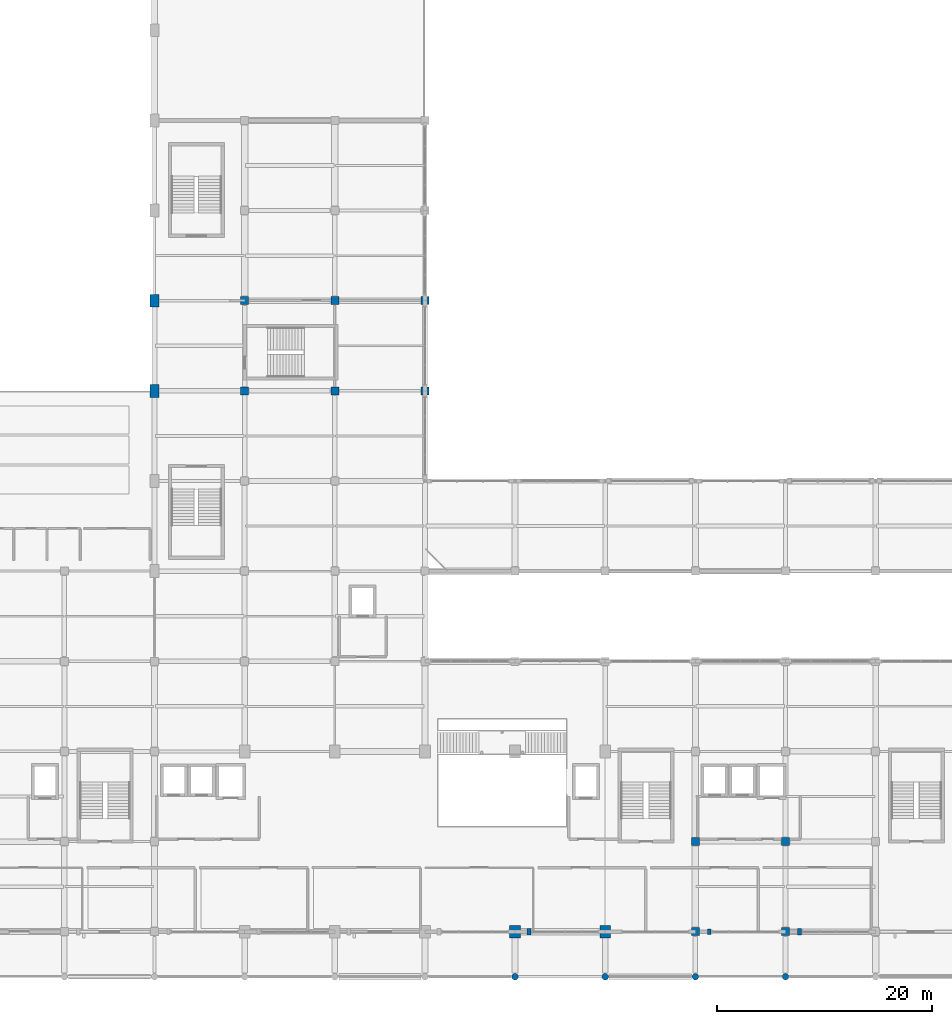
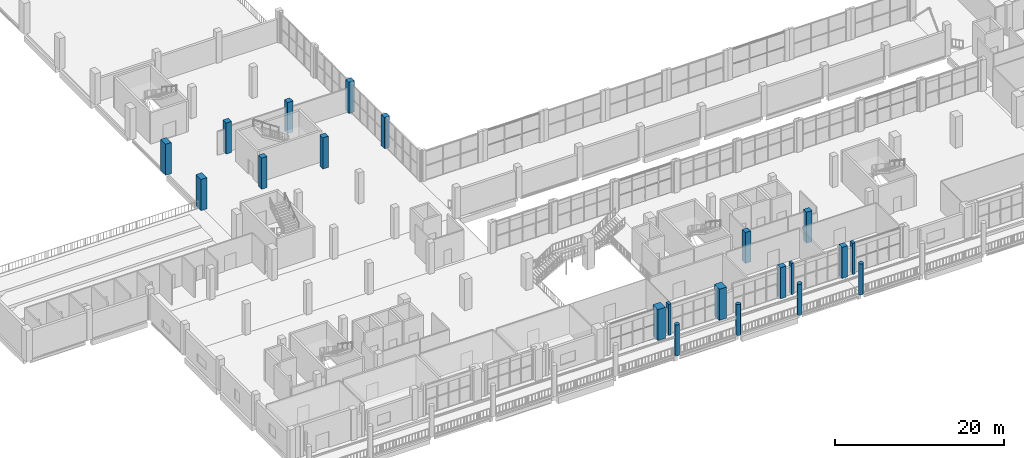
# One storey, part 3 of 75: 21 columns.
"""IFC4 building model written with IfcOpenShell, lengths in metres."""

from ifc_helpers import new_model, si_unit, derived_unit, direction, frame, origin, origin_2d, place, context, subcontext, project, spatial, rectangle, circle, extrude, material, material_profile, profile_set, type_object, element, save


model = new_model("IFC4")

# Units and contexts
model_context = context("Model", 3, precision=1e-05, world=origin(), true_north=direction((0.0, 1.0)))
body_context = subcontext(model_context, "Body", "Model", "MODEL_VIEW")
ifc_project = project(units=[si_unit("LENGTHUNIT", "METRE"), si_unit("AREAUNIT", "SQUARE_METRE"), si_unit("VOLUMEUNIT", "CUBIC_METRE"), si_unit("PLANEANGLEUNIT", "RADIAN"), si_unit("MASSUNIT", "GRAM", prefix="KILO"), derived_unit("THERMALTRANSMITTANCEUNIT", [(si_unit("POWERUNIT", "WATT"), 1), (si_unit("LENGTHUNIT", "METRE"), -2), (si_unit("THERMODYNAMICTEMPERATUREUNIT", "KELVIN"), -1)])], contexts=[model_context])

# Site, building, storey
site_placement = place(None, origin())
site = spatial("IfcSite", under=ifc_project, at=site_placement, CompositionType="ELEMENT")
building_placement = place(site_placement, origin())
building = spatial("IfcBuilding", under=site, at=building_placement, Name="Barrovel Congress Hotel", CompositionType="ELEMENT")
storey_placement = place(building_placement, frame((0.0, 0.0, 5.39990234375)))
storey = spatial("IfcBuildingStorey", under=building, at=storey_placement, Name="L01", CompositionType="ELEMENT", Elevation=5.39990234375)

# Columns
ifc_material_1 = material(Name="Concrete C40", Category="concrete")
ifc_material_profile_1 = material_profile(ifc_material_1, circle(Radius=0.300048828125, at=origin_2d()), Name="RC-D600")
ifc_profile_set_1 = profile_set([ifc_material_profile_1], Name="Concrete C40")
column_type_1 = type_object("IfcColumnType", Name="COL-RC-D600", PredefinedType="COLUMN", material=ifc_profile_set_1)
for number, where, z_axis, x_axis, name in (
    (1, (67.199951171875, 0.0, 0.0), (0.0, 0.0, 1.0), (1.0, 0.0, 0.0), "COL:L01:67.2:0.0"),
    (2, (75.60009765625, 0.0, 0.0), (0.0, 0.0, 1.0), (1.0, 0.0, 0.0), "COL:L01:75.6:0.0"),
    (3, (84.0, 0.0, 0.0), (0.0, 0.0, 1.0), (1.0, 0.0, 0.0), "COL:L01:84.0:0.0"),
    (4, (92.39990234375, 0.0, 0.0), (0.0, 0.0, 1.0), (1.0, 0.0, 0.0), "COL:L01:92.4:0.0"),
):
    element("IfcColumn", number, at=place(storey_placement, frame(where, z_axis=z_axis, x_axis=x_axis)), inside=storey, type_object=column_type_1, Name=name, PredefinedType="COLUMN", context=body_context, shape_type="SweptSolid", body=[
        extrude(circle(Radius=0.300048828125, at=origin_2d()), origin(), (0.0, 0.0, 1.0), 4.5),
    ])
ifc_material_2 = material(Name="Concrete C50", Category="concrete")
ifc_material_profile_2 = material_profile(ifc_material_2, rectangle(XDim=1.0, YDim=1.199951171875, at=origin_2d()), Name="RC1000x1200")
ifc_profile_set_2 = profile_set([ifc_material_profile_2], Name="Concrete C50")
column_type_2 = type_object("IfcColumnType", Name="COL-RC1000x1200", PredefinedType="COLUMN", material=ifc_profile_set_2)
for number, where, z_axis, x_axis, name in (
    (5, (67.199951171875, 4.199951171875, 0.0), (0.0, 0.0, 1.0), (1.0, 0.0, 0.0), "COL:L01:67.2:4.2"),
    (6, (75.60009765625, 4.199951171875, 0.0), (0.0, 0.0, 1.0), (1.0, 0.0, 0.0), "COL:L01:75.6:4.2"),
):
    element("IfcColumn", number, at=place(storey_placement, frame(where, z_axis=z_axis, x_axis=x_axis)), inside=storey, type_object=column_type_2, Name=name, PredefinedType="COLUMN", context=body_context, shape_type="SweptSolid", body=[
        extrude(rectangle(XDim=1.0, YDim=1.199951171875, at=origin_2d()), origin(), (0.0, 0.0, 1.0), 4.5),
    ])
ifc_material_profile_3 = material_profile(ifc_material_1, rectangle(XDim=0.75, YDim=0.75, at=origin_2d()), Name="RC750x750")
ifc_profile_set_3 = profile_set([ifc_material_profile_3], Name="Concrete C40")
column_type_3 = type_object("IfcColumnType", Name="COL-RC750x750", PredefinedType="COLUMN", material=ifc_profile_set_3)
for number, where, z_axis, x_axis, name in (
    (7, (42.0, 54.60009765625, 0.0), (0.0, 0.0, 1.0), (1.0, 0.0, 0.0), "COL:L01:42.0:54.6"),
    (8, (42.0, 63.0, 0.0), (0.0, 0.0, 1.0), (1.0, 0.0, 0.0), "COL:L01:42.0:63.0"),
    (9, (50.39990234375, 54.60009765625, 0.0), (0.0, 0.0, 1.0), (1.0, 0.0, 0.0), "COL:L01:50.4:54.6"),
    (10, (50.39990234375, 63.0, 0.0), (0.0, 0.0, 1.0), (1.0, 0.0, 0.0), "COL:L01:50.4:63.0"),
    (11, (58.800048828125, 54.60009765625, 0.0), (0.0, 0.0, 1.0), (1.0, 0.0, 0.0), "COL:L01:58.8:54.6"),
    (12, (58.800048828125, 63.0, 0.0), (0.0, 0.0, 1.0), (1.0, 0.0, 0.0), "COL:L01:58.8:63.0"),
    (13, (84.0, 4.199951171875, 0.0), (0.0, 0.0, 1.0), (1.0, 0.0, 0.0), "COL:L01:84.0:4.2"),
    (14, (84.0, 12.60009765625, 0.0), (0.0, 0.0, 1.0), (1.0, 0.0, 0.0), "COL:L01:84.0:12.6"),
    (15, (92.39990234375, 4.199951171875, 0.0), (0.0, 0.0, 1.0), (1.0, 0.0, 0.0), "COL:L01:92.4:4.2"),
    (16, (92.39990234375, 12.60009765625, 0.0), (0.0, 0.0, 1.0), (1.0, 0.0, 0.0), "COL:L01:92.4:12.6"),
):
    element("IfcColumn", number, at=place(storey_placement, frame(where, z_axis=z_axis, x_axis=x_axis)), inside=storey, type_object=column_type_3, Name=name, PredefinedType="COLUMN", context=body_context, shape_type="SweptSolid", body=[
        extrude(rectangle(XDim=0.75, YDim=0.75, at=origin_2d()), origin(), (0.0, 0.0, 1.0), 4.5),
    ])
ifc_material_profile_4 = material_profile(ifc_material_1, rectangle(XDim=0.800048828125, YDim=1.199951171875, at=origin_2d()), Name="RC800x1200")
ifc_profile_set_4 = profile_set([ifc_material_profile_4], Name="Concrete C40")
column_type_4 = type_object("IfcColumnType", Name="COL-RC800x1200", PredefinedType="COLUMN", material=ifc_profile_set_4)
for number, where, z_axis, x_axis, name in (
    (17, (33.60009765625, 54.60009765625, 0.0), (0.0, 0.0, 1.0), (1.0, 0.0, 0.0), "COL:L01:33.6:54.6"),
    (18, (33.60009765625, 63.0, 0.0), (0.0, 0.0, 1.0), (1.0, 0.0, 0.0), "COL:L01:33.6:63.0"),
):
    element("IfcColumn", number, at=place(storey_placement, frame(where, z_axis=z_axis, x_axis=x_axis)), inside=storey, type_object=column_type_4, Name=name, PredefinedType="COLUMN", context=body_context, shape_type="SweptSolid", body=[
        extrude(rectangle(XDim=0.800048828125, YDim=1.199951171875, at=origin_2d()), origin(), (0.0, 0.0, 1.0), 4.5),
    ])
ifc_material_profile_5 = material_profile(ifc_material_1, rectangle(XDim=0.300048828125, YDim=0.550048828125, at=origin_2d()), Name="RC300x550")
ifc_profile_set_5 = profile_set([ifc_material_profile_5], Name="Concrete C40")
column_type_5 = type_object("IfcColumnType", Name="PIL-RC300x550", PredefinedType="PILASTER", material=ifc_profile_set_5)
column_placement = place(storey_placement, frame((85.300048828125, 4.199951171875, 0.0), z_axis=(0.0, 0.0, 1.0), x_axis=(1.0, 0.0, 0.0)))
element("IfcColumn", 19, at=column_placement, inside=storey, type_object=column_type_5, Name="PIL:L01:S:85.3", PredefinedType="PILASTER", context=body_context, shape_type="SweptSolid", body=[
    extrude(rectangle(XDim=0.300048828125, YDim=0.550048828125, at=origin_2d()), origin(), (0.0, 0.0, 1.0), 4.5),
])
ifc_material_profile_6 = material_profile(ifc_material_1, rectangle(XDim=0.35009765625, YDim=0.60009765625, at=origin_2d()), Name="RC350x600")
ifc_profile_set_6 = profile_set([ifc_material_profile_6], Name="Concrete C40")
column_type_6 = type_object("IfcColumnType", Name="PIL-RC350x600", PredefinedType="PILASTER", material=ifc_profile_set_6)
for number, where, z_axis, x_axis, name in (
    (20, (68.5, 4.199951171875, 0.0), (0.0, 0.0, 1.0), (1.0, 0.0, 0.0), "PIL:L01:S:68.5"),
    (21, (93.699951171875, 4.199951171875, 0.0), (0.0, 0.0, 1.0), (1.0, 0.0, 0.0), "PIL:L01:S:93.7"),
):
    element("IfcColumn", number, at=place(storey_placement, frame(where, z_axis=z_axis, x_axis=x_axis)), inside=storey, type_object=column_type_6, Name=name, PredefinedType="PILASTER", context=body_context, shape_type="SweptSolid", body=[
        extrude(rectangle(XDim=0.35009765625, YDim=0.60009765625, at=origin_2d()), origin(), (0.0, 0.0, 1.0), 4.5),
    ])

save(model, "model.ifc")
